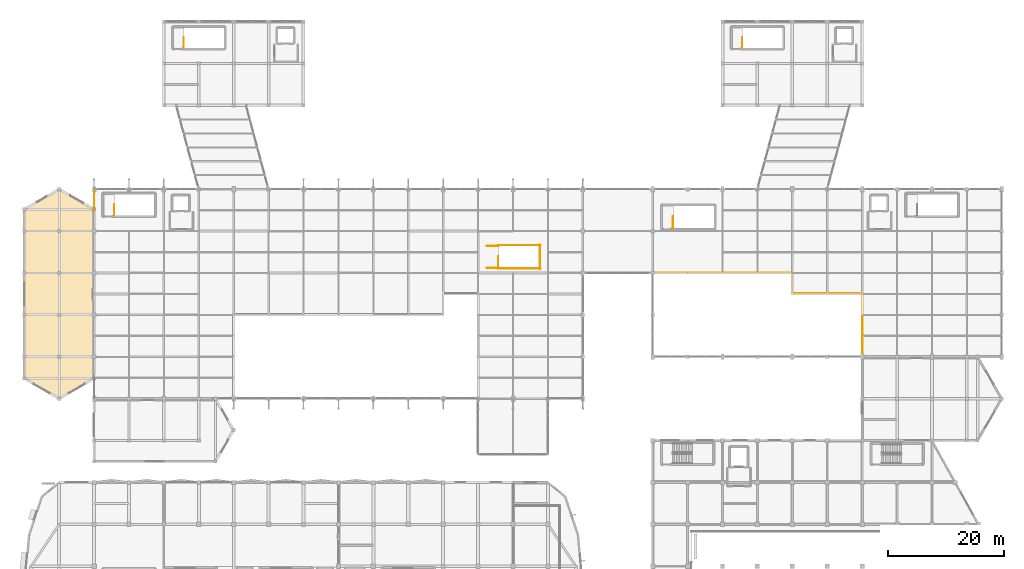
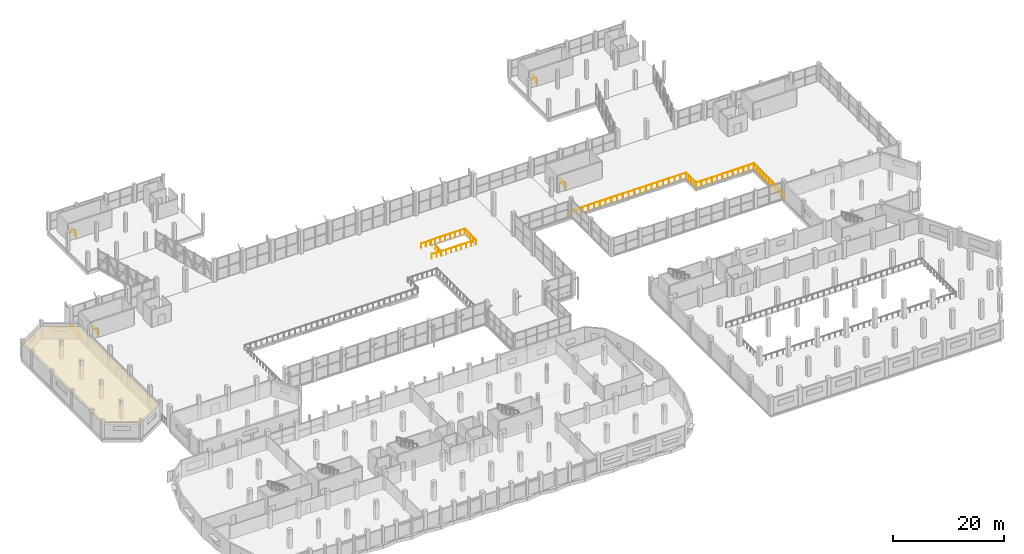
# One storey, part 124 of 127: 12 railings, 1 covering.
"""IFC4 building model written with IfcOpenShell, lengths in metres."""

from ifc_helpers import new_model, si_unit, direction, frame, origin, origin_2d, place, context, subcontext, project, spatial, polyline, circle, outline, extrude, material, layer, layer_set, type_object, element, save


model = new_model("IFC4")

# Units and contexts
model_context = context("Model", 3, precision=1e-05, world=origin(), true_north=direction((0.0, 1.0)))
body_context = subcontext(model_context, "Body", "Model", "MODEL_VIEW")
ifc_project = project(units=[si_unit("LENGTHUNIT", "METRE"), si_unit("AREAUNIT", "SQUARE_METRE"), si_unit("VOLUMEUNIT", "CUBIC_METRE"), si_unit("PLANEANGLEUNIT", "RADIAN"), si_unit("MASSUNIT", "GRAM", prefix="KILO")], contexts=[model_context])

# Site, building, storey
site_placement = place(None, origin())
site = spatial("IfcSite", under=ifc_project, at=site_placement, CompositionType="ELEMENT")
building_placement = place(site_placement, origin())
building = spatial("IfcBuilding", under=site, at=building_placement, Name="Dunvalen Ferry Terminal", CompositionType="ELEMENT")
storey_placement = place(building_placement, frame((0.0, 0.0, 5.760009765625)))
storey = spatial("IfcBuildingStorey", under=building, at=storey_placement, Name="L01", CompositionType="ELEMENT", Elevation=5.760009765625)

# Covering
ifc_material_1 = material(Name="Moisture-resistant mineral-fibre acoustic ceiling", Category="gypsum")
ifc_layer = layer(ifc_material_1, 0.050048828125, Name="Moisture-resistant mineral-fibre acoustic ceiling")
ifc_layer_set = layer_set([ifc_layer], Name="Moisture-resistant mineral-fibre acoustic ceiling")
covering_type = type_object("IfcCoveringType", Name="INT-COV-CLG02", PredefinedType="CEILING", material=ifc_layer_set)
covering_placement = place(storey_placement, frame((0.0, 0.0, 2.800048828125)))
element("IfcCovering", 1, at=covering_placement, inside=storey, type_object=covering_type, Name="L01 Outbound Baggage Screening Control Room Acoustic Suspended Ceiling", PredefinedType="CEILING", context=body_context, shape_type="SweptSolid", body=[
    extrude(outline(polyline([(6.0, 50.550048828125), (11.8701171875, 53.939208984375), (11.8701171875, 82.86083984375), (6.0, 86.25), (0.1298828125, 82.86083984375), (0.1298828125, 53.939208984375), (6.0, 50.550048828125)])), origin(), (0.0, 0.0, 1.0), 0.050048828125),
])

# Railings
ifc_material_2 = material(Name="Marine grade 316 stainless steel and laminated glass", Category="steel")
railing_type_1 = type_object("IfcRailingType", Name="INT-RL-MZBAL", PredefinedType="BALUSTRADE", material=ifc_material_2)
railing_1_placement = place(storey_placement, frame((12.050048828125, 82.60009765625, 0.0)))
element("IfcRailing", 2, at=railing_1_placement, inside=storey, type_object=railing_type_1, Name="L01 Internal Safety Guard BAL-V1-MEZZ-WN", PredefinedType="BALUSTRADE", context=body_context, shape_type="SweptSolid", body=[
    extrude(circle(Radius=0.02392578125, at=origin_2d()), frame((0.0, 0.0, 1.09619140625), z_axis=(0.0, 1.0, 0.0), x_axis=(-1.0, 0.0, 0.0)), (0.0, 0.0, 1.0), 3.75),
    extrude(circle(Radius=0.02099609375, at=origin_2d()), origin(), (0.0, 0.0, 1.0), 1.072021484375),
    extrude(circle(Radius=0.02099609375, at=origin_2d()), frame((0.0, 0.9375, 0.0)), (0.0, 0.0, 1.0), 1.072021484375),
    extrude(circle(Radius=0.02099609375, at=origin_2d()), frame((0.0, 1.875, 0.0)), (0.0, 0.0, 1.0), 1.072021484375),
    extrude(circle(Radius=0.02099609375, at=origin_2d()), frame((0.0, 2.8125, 0.0)), (0.0, 0.0, 1.0), 1.072021484375),
    extrude(circle(Radius=0.02099609375, at=origin_2d()), frame((0.0, 3.75, 0.0)), (0.0, 0.0, 1.0), 1.072021484375),
])
railing_2_placement = place(storey_placement, frame((108.050048828125, 72.050048828125, 0.0)))
element("IfcRailing", 3, at=railing_2_placement, inside=storey, type_object=railing_type_1, Name="L01 Internal Safety Guard BAL-V2-MEZZ-1", PredefinedType="BALUSTRADE", context=body_context, shape_type="SweptSolid", body=[
    extrude(circle(Radius=0.02392578125, at=origin_2d()), frame((0.0, 0.0, 1.09619140625), z_axis=(1.0, 0.0, 0.0), x_axis=(0.0, 1.0, 0.0)), (0.0, 0.0, 1.0), 23.949951171875),
    extrude(circle(Radius=0.02392578125, at=origin_2d()), frame((23.949951171875, 0.0, 1.09619140625), z_axis=(0.0, -1.0, 0.0), x_axis=(1.0, 0.0, 0.0)), (0.0, 0.0, 1.0), 3.60009765625),
    extrude(circle(Radius=0.02392578125, at=origin_2d()), frame((23.949951171875, -3.60009765625, 1.09619140625), z_axis=(1.0, 0.0, 0.0), x_axis=(0.0, 1.0, 0.0)), (0.0, 0.0, 1.0), 12.050048828125),
    extrude(circle(Radius=0.02392578125, at=origin_2d()), frame((36.0, -3.60009765625, 1.09619140625), z_axis=(0.0, -1.0, 0.0), x_axis=(1.0, 0.0, 0.0)), (0.0, 0.0, 1.0), 10.800048828125),
    extrude(circle(Radius=0.02099609375, at=origin_2d()), origin(), (0.0, 0.0, 1.0), 1.072021484375),
    extrude(circle(Radius=0.02099609375, at=origin_2d()), frame((1.197509765625, 0.0, 0.0)), (0.0, 0.0, 1.0), 1.072021484375),
    extrude(circle(Radius=0.02099609375, at=origin_2d()), frame((2.39501953125, 0.0, 0.0)), (0.0, 0.0, 1.0), 1.072021484375),
    extrude(circle(Radius=0.02099609375, at=origin_2d()), frame((3.592529296875, 0.0, 0.0)), (0.0, 0.0, 1.0), 1.072021484375),
    extrude(circle(Radius=0.02099609375, at=origin_2d()), frame((4.7900390625, 0.0, 0.0)), (0.0, 0.0, 1.0), 1.072021484375),
    extrude(circle(Radius=0.02099609375, at=origin_2d()), frame((5.987548828125, 0.0, 0.0)), (0.0, 0.0, 1.0), 1.072021484375),
    extrude(circle(Radius=0.02099609375, at=origin_2d()), frame((7.18505859375, 0.0, 0.0)), (0.0, 0.0, 1.0), 1.072021484375),
    extrude(circle(Radius=0.02099609375, at=origin_2d()), frame((8.382568359375, 0.0, 0.0)), (0.0, 0.0, 1.0), 1.072021484375),
    extrude(circle(Radius=0.02099609375, at=origin_2d()), frame((9.580078125, 0.0, 0.0)), (0.0, 0.0, 1.0), 1.072021484375),
    extrude(circle(Radius=0.02099609375, at=origin_2d()), frame((10.777587890625, 0.0, 0.0)), (0.0, 0.0, 1.0), 1.072021484375),
    extrude(circle(Radius=0.02099609375, at=origin_2d()), frame((11.97509765625, 0.0, 0.0)), (0.0, 0.0, 1.0), 1.072021484375),
    extrude(circle(Radius=0.02099609375, at=origin_2d()), frame((13.17236328125, 0.0, 0.0)), (0.0, 0.0, 1.0), 1.072021484375),
    extrude(circle(Radius=0.02099609375, at=origin_2d()), frame((14.369873046875, 0.0, 0.0)), (0.0, 0.0, 1.0), 1.072021484375),
    extrude(circle(Radius=0.02099609375, at=origin_2d()), frame((15.5673828125, 0.0, 0.0)), (0.0, 0.0, 1.0), 1.072021484375),
    extrude(circle(Radius=0.02099609375, at=origin_2d()), frame((16.764892578125, 0.0, 0.0)), (0.0, 0.0, 1.0), 1.072021484375),
    extrude(circle(Radius=0.02099609375, at=origin_2d()), frame((17.96240234375, 0.0, 0.0)), (0.0, 0.0, 1.0), 1.072021484375),
    extrude(circle(Radius=0.02099609375, at=origin_2d()), frame((19.159912109375, 0.0, 0.0)), (0.0, 0.0, 1.0), 1.072021484375),
    extrude(circle(Radius=0.02099609375, at=origin_2d()), frame((20.357421875, 0.0, 0.0)), (0.0, 0.0, 1.0), 1.072021484375),
    extrude(circle(Radius=0.02099609375, at=origin_2d()), frame((21.554931640625, 0.0, 0.0)), (0.0, 0.0, 1.0), 1.072021484375),
    extrude(circle(Radius=0.02099609375, at=origin_2d()), frame((22.75244140625, 0.0, 0.0)), (0.0, 0.0, 1.0), 1.072021484375),
    extrude(circle(Radius=0.02099609375, at=origin_2d()), frame((23.949951171875, 0.0, 0.0)), (0.0, 0.0, 1.0), 1.072021484375),
    extrude(circle(Radius=0.02099609375, at=origin_2d()), frame((23.949951171875, -0.89990234375, 0.0)), (0.0, 0.0, 1.0), 1.072021484375),
    extrude(circle(Radius=0.02099609375, at=origin_2d()), frame((23.949951171875, -1.800048828125, 0.0)), (0.0, 0.0, 1.0), 1.072021484375),
    extrude(circle(Radius=0.02099609375, at=origin_2d()), frame((23.949951171875, -2.7001953125, 0.0)), (0.0, 0.0, 1.0), 1.072021484375),
    extrude(circle(Radius=0.02099609375, at=origin_2d()), frame((23.949951171875, -3.60009765625, 0.0)), (0.0, 0.0, 1.0), 1.072021484375),
    extrude(circle(Radius=0.02099609375, at=origin_2d()), frame((25.04541015625, -3.60009765625, 0.0)), (0.0, 0.0, 1.0), 1.072021484375),
    extrude(circle(Radius=0.02099609375, at=origin_2d()), frame((26.140869140625, -3.60009765625, 0.0)), (0.0, 0.0, 1.0), 1.072021484375),
    extrude(circle(Radius=0.02099609375, at=origin_2d()), frame((27.236328125, -3.60009765625, 0.0)), (0.0, 0.0, 1.0), 1.072021484375),
    extrude(circle(Radius=0.02099609375, at=origin_2d()), frame((28.331787109375, -3.60009765625, 0.0)), (0.0, 0.0, 1.0), 1.072021484375),
    extrude(circle(Radius=0.02099609375, at=origin_2d()), frame((29.42724609375, -3.60009765625, 0.0)), (0.0, 0.0, 1.0), 1.072021484375),
    extrude(circle(Radius=0.02099609375, at=origin_2d()), frame((30.522705078125, -3.60009765625, 0.0)), (0.0, 0.0, 1.0), 1.072021484375),
    extrude(circle(Radius=0.02099609375, at=origin_2d()), frame((31.6181640625, -3.60009765625, 0.0)), (0.0, 0.0, 1.0), 1.072021484375),
    extrude(circle(Radius=0.02099609375, at=origin_2d()), frame((32.713623046875, -3.60009765625, 0.0)), (0.0, 0.0, 1.0), 1.072021484375),
    extrude(circle(Radius=0.02099609375, at=origin_2d()), frame((33.80908203125, -3.60009765625, 0.0)), (0.0, 0.0, 1.0), 1.072021484375),
    extrude(circle(Radius=0.02099609375, at=origin_2d()), frame((34.904541015625, -3.60009765625, 0.0)), (0.0, 0.0, 1.0), 1.072021484375),
    extrude(circle(Radius=0.02099609375, at=origin_2d()), frame((36.0, -3.60009765625, 0.0)), (0.0, 0.0, 1.0), 1.072021484375),
    extrude(circle(Radius=0.02099609375, at=origin_2d()), frame((36.0, -4.68017578125, 0.0)), (0.0, 0.0, 1.0), 1.072021484375),
    extrude(circle(Radius=0.02099609375, at=origin_2d()), frame((36.0, -5.760009765625, 0.0)), (0.0, 0.0, 1.0), 1.072021484375),
    extrude(circle(Radius=0.02099609375, at=origin_2d()), frame((36.0, -6.840087890625, 0.0)), (0.0, 0.0, 1.0), 1.072021484375),
    extrude(circle(Radius=0.02099609375, at=origin_2d()), frame((36.0, -7.920166015625, 0.0)), (0.0, 0.0, 1.0), 1.072021484375),
    extrude(circle(Radius=0.02099609375, at=origin_2d()), frame((36.0, -9.0, 0.0)), (0.0, 0.0, 1.0), 1.072021484375),
    extrude(circle(Radius=0.02099609375, at=origin_2d()), frame((36.0, -10.080078125, 0.0)), (0.0, 0.0, 1.0), 1.072021484375),
    extrude(circle(Radius=0.02099609375, at=origin_2d()), frame((36.0, -11.16015625, 0.0)), (0.0, 0.0, 1.0), 1.072021484375),
    extrude(circle(Radius=0.02099609375, at=origin_2d()), frame((36.0, -12.240234375, 0.0)), (0.0, 0.0, 1.0), 1.072021484375),
    extrude(circle(Radius=0.02099609375, at=origin_2d()), frame((36.0, -13.320068359375, 0.0)), (0.0, 0.0, 1.0), 1.072021484375),
    extrude(circle(Radius=0.02099609375, at=origin_2d()), frame((36.0, -14.400146484375, 0.0)), (0.0, 0.0, 1.0), 1.072021484375),
])
ifc_material_3 = material(Name="Painted galvanised steel S275", Category="steel")
railing_type_2 = type_object("IfcRailingType", Name="INT-RL-STGRD", PredefinedType="GUARDRAIL", material=ifc_material_3)
railing_3_placement = place(storey_placement, frame((15.449951171875, 81.85009765625, 0.0)))
element("IfcRailing", 4, at=railing_3_placement, inside=storey, type_object=railing_type_2, Name="L01 ST7 top well guard 1", PredefinedType="GUARDRAIL", context=body_context, shape_type="SweptSolid", body=[
    extrude(circle(Radius=0.02392578125, at=origin_2d()), frame((0.0, 0.0, 1.076171875), z_axis=(0.0, 1.0, 0.0), x_axis=(-1.0, 0.0, 0.0)), (0.0, 0.0, 1.0), 1.949951171875),
    extrude(circle(Radius=0.02099609375, at=origin_2d()), origin(), (0.0, 0.0, 1.0), 1.052001953125),
    extrude(circle(Radius=0.02099609375, at=origin_2d()), frame((0.0, 0.97509765625, 0.0)), (0.0, 0.0, 1.0), 1.052001953125),
    extrude(circle(Radius=0.02099609375, at=origin_2d()), frame((0.0, 1.949951171875, 0.0)), (0.0, 0.0, 1.0), 1.052001953125),
])
railing_4_placement = place(storey_placement, frame((81.449951171875, 72.800048828125, 0.0)))
element("IfcRailing", 5, at=railing_4_placement, inside=storey, type_object=railing_type_2, Name="L01 ST8 top well guard 1", PredefinedType="GUARDRAIL", context=body_context, shape_type="SweptSolid", body=[
    extrude(circle(Radius=0.02392578125, at=origin_2d()), frame((0.0, 0.0, 1.076171875), z_axis=(0.0, 1.0, 0.0), x_axis=(-1.0, 0.0, 0.0)), (0.0, 0.0, 1.0), 2.050048828125),
    extrude(circle(Radius=0.02099609375, at=origin_2d()), origin(), (0.0, 0.0, 1.0), 1.052001953125),
    extrude(circle(Radius=0.02099609375, at=origin_2d()), frame((0.0, 1.02490234375, 0.0)), (0.0, 0.0, 1.0), 1.052001953125),
    extrude(circle(Radius=0.02099609375, at=origin_2d()), frame((0.0, 2.050048828125, 0.0)), (0.0, 0.0, 1.0), 1.052001953125),
])
for number, where, name in (
    (6, (81.39990234375, 72.75, 0.0), "L01 ST8 top well guard 2"),
    (7, (81.39990234375, 76.75, 0.0), "L01 ST8 top well guard 3"),
):
    element("IfcRailing", number, at=place(storey_placement, frame(where)), inside=storey, type_object=railing_type_2, Name=name, PredefinedType="GUARDRAIL", context=body_context, shape_type="SweptSolid", body=[
        extrude(circle(Radius=0.02392578125, at=origin_2d()), frame((0.0, 0.0, 1.076171875), z_axis=(1.0, 0.0, 0.0), x_axis=(0.0, 1.0, 0.0)), (0.0, 0.0, 1.0), 7.300048828125),
        extrude(circle(Radius=0.02099609375, at=origin_2d()), origin(), (0.0, 0.0, 1.0), 1.052001953125),
        extrude(circle(Radius=0.02099609375, at=origin_2d()), frame((1.04296875, 0.0, 0.0)), (0.0, 0.0, 1.0), 1.052001953125),
        extrude(circle(Radius=0.02099609375, at=origin_2d()), frame((2.085693359375, 0.0, 0.0)), (0.0, 0.0, 1.0), 1.052001953125),
        extrude(circle(Radius=0.02099609375, at=origin_2d()), frame((3.128662109375, 0.0, 0.0)), (0.0, 0.0, 1.0), 1.052001953125),
        extrude(circle(Radius=0.02099609375, at=origin_2d()), frame((4.17138671875, 0.0, 0.0)), (0.0, 0.0, 1.0), 1.052001953125),
        extrude(circle(Radius=0.02099609375, at=origin_2d()), frame((5.21435546875, 0.0, 0.0)), (0.0, 0.0, 1.0), 1.052001953125),
        extrude(circle(Radius=0.02099609375, at=origin_2d()), frame((6.257080078125, 0.0, 0.0)), (0.0, 0.0, 1.0), 1.052001953125),
        extrude(circle(Radius=0.02099609375, at=origin_2d()), frame((7.300048828125, 0.0, 0.0)), (0.0, 0.0, 1.0), 1.052001953125),
    ])
railing_5_placement = place(storey_placement, frame((88.64990234375, 72.699951171875, 0.0)))
element("IfcRailing", 8, at=railing_5_placement, inside=storey, type_object=railing_type_2, Name="L01 ST8 top well guard 4", PredefinedType="GUARDRAIL", context=body_context, shape_type="SweptSolid", body=[
    extrude(circle(Radius=0.02392578125, at=origin_2d()), frame((0.0, 0.0, 1.076171875), z_axis=(0.0, 1.0, 0.0), x_axis=(-1.0, 0.0, 0.0)), (0.0, 0.0, 1.0), 4.10009765625),
    extrude(circle(Radius=0.02099609375, at=origin_2d()), origin(), (0.0, 0.0, 1.0), 1.052001953125),
    extrude(circle(Radius=0.02099609375, at=origin_2d()), frame((0.0, 1.02490234375, 0.0)), (0.0, 0.0, 1.0), 1.052001953125),
    extrude(circle(Radius=0.02099609375, at=origin_2d()), frame((0.0, 2.050048828125, 0.0)), (0.0, 0.0, 1.0), 1.052001953125),
    extrude(circle(Radius=0.02099609375, at=origin_2d()), frame((0.0, 3.0751953125, 0.0)), (0.0, 0.0, 1.0), 1.052001953125),
    extrude(circle(Radius=0.02099609375, at=origin_2d()), frame((0.0, 4.10009765625, 0.0)), (0.0, 0.0, 1.0), 1.052001953125),
])
for number, where, name in (
    (9, (79.5, 72.85009765625, 0.0), "L01 ST8 top well guard 5"),
    (10, (79.5, 76.64990234375, 0.0), "L01 ST8 top well guard 6"),
):
    element("IfcRailing", number, at=place(storey_placement, frame(where)), inside=storey, type_object=railing_type_2, Name=name, PredefinedType="GUARDRAIL", context=body_context, shape_type="SweptSolid", body=[
        extrude(circle(Radius=0.02392578125, at=origin_2d()), frame((0.0, 0.0, 1.076171875), z_axis=(1.0, 0.0, 0.0), x_axis=(0.0, 1.0, 0.0)), (0.0, 0.0, 1.0), 2.0),
        extrude(circle(Radius=0.02099609375, at=origin_2d()), origin(), (0.0, 0.0, 1.0), 1.052001953125),
        extrude(circle(Radius=0.02099609375, at=origin_2d()), frame((1.0, 0.0, 0.0)), (0.0, 0.0, 1.0), 1.052001953125),
        extrude(circle(Radius=0.02099609375, at=origin_2d()), frame((2.0, 0.0, 0.0)), (0.0, 0.0, 1.0), 1.052001953125),
    ])
railing_6_placement = place(storey_placement, frame((111.5, 79.64990234375, 0.0)))
element("IfcRailing", 11, at=railing_6_placement, inside=storey, type_object=railing_type_2, Name="L01 ST10 top well guard 1", PredefinedType="GUARDRAIL", context=body_context, shape_type="SweptSolid", body=[
    extrude(circle(Radius=0.02392578125, at=origin_2d()), frame((0.0, 0.0, 1.076171875), z_axis=(0.0, 1.0, 0.0), x_axis=(-1.0, 0.0, 0.0)), (0.0, 0.0, 1.0), 2.050048828125),
    extrude(circle(Radius=0.02099609375, at=origin_2d()), origin(), (0.0, 0.0, 1.0), 1.052001953125),
    extrude(circle(Radius=0.02099609375, at=origin_2d()), frame((0.0, 1.02490234375, 0.0)), (0.0, 0.0, 1.0), 1.052001953125),
    extrude(circle(Radius=0.02099609375, at=origin_2d()), frame((0.0, 2.050048828125, 0.0)), (0.0, 0.0, 1.0), 1.052001953125),
])
for number, where, name in (
    (12, (27.39990234375, 110.64990234375, 0.0), "L01 ST11 top well guard 1"),
    (13, (123.39990234375, 110.64990234375, 0.0), "L01 ST12 top well guard 1"),
):
    element("IfcRailing", number, at=place(storey_placement, frame(where)), inside=storey, type_object=railing_type_2, Name=name, PredefinedType="GUARDRAIL", context=body_context, shape_type="SweptSolid", body=[
        extrude(circle(Radius=0.02392578125, at=origin_2d()), frame((0.0, 0.0, 1.076171875), z_axis=(0.0, 1.0, 0.0), x_axis=(-1.0, 0.0, 0.0)), (0.0, 0.0, 1.0), 1.85009765625),
        extrude(circle(Radius=0.02099609375, at=origin_2d()), origin(), (0.0, 0.0, 1.0), 1.052001953125),
        extrude(circle(Radius=0.02099609375, at=origin_2d()), frame((0.0, 0.925048828125, 0.0)), (0.0, 0.0, 1.0), 1.052001953125),
        extrude(circle(Radius=0.02099609375, at=origin_2d()), frame((0.0, 1.85009765625, 0.0)), (0.0, 0.0, 1.0), 1.052001953125),
    ])

save(model, "model.ifc")
